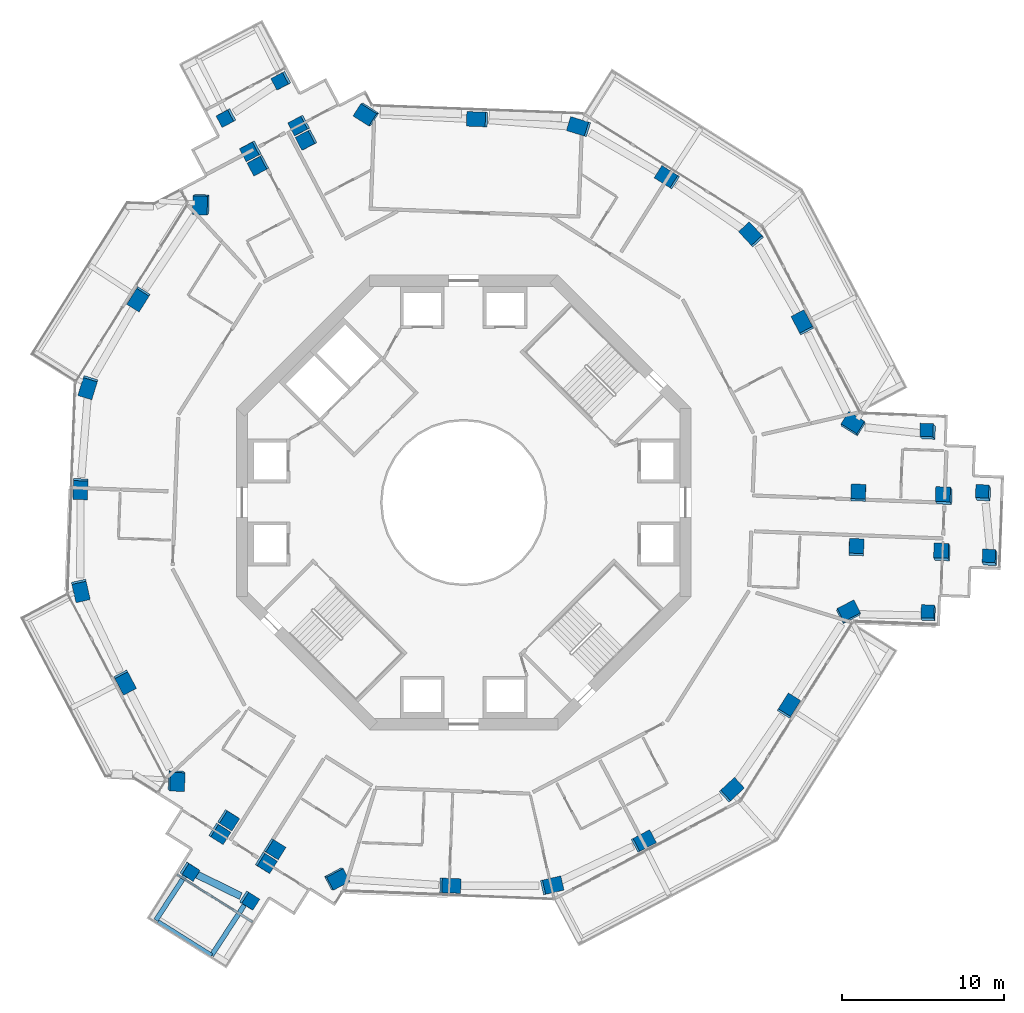
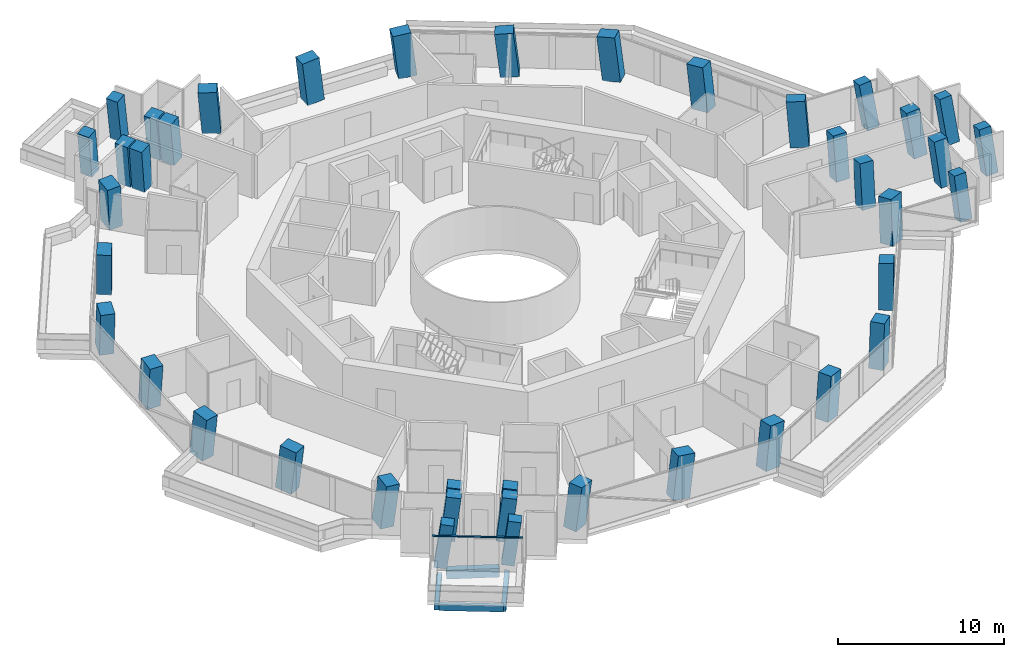
# One storey, part 1 of 23: 41 columns, 4 beams, 1 member, 1 element without a shape of its own.
"""IFC4 building model written with IfcOpenShell, lengths in metres."""

from ifc_helpers import new_model, si_unit, direction, frame, origin, origin_2d, place, context, subcontext, project, spatial, rectangle, extrude, material, layer, layer_set, material_profile, profile_set, type_object, element, aggregate, save


model = new_model("IFC4")

# Units and contexts
model_context = context("Model", 3, precision=1e-05, world=origin(), true_north=direction((0.0, 1.0)))
body_context = subcontext(model_context, "Body", "Model", "MODEL_VIEW")
ifc_project = project(units=[si_unit("LENGTHUNIT", "METRE"), si_unit("AREAUNIT", "SQUARE_METRE"), si_unit("VOLUMEUNIT", "CUBIC_METRE"), si_unit("PLANEANGLEUNIT", "RADIAN"), si_unit("MASSUNIT", "GRAM", prefix="KILO")], contexts=[model_context])

# Site, building, storey
site_placement = place(None, origin())
site = spatial("IfcSite", under=ifc_project, at=site_placement, CompositionType="ELEMENT")
building_placement = place(site_placement, origin())
building = spatial("IfcBuilding", under=site, at=building_placement, Name="Verdalira Terraces Hotel", CompositionType="ELEMENT")
storey_placement = place(building_placement, frame((0.0, 0.0, 147.0)))
storey = spatial("IfcBuildingStorey", under=building, at=storey_placement, Name="L35", CompositionType="ELEMENT", Elevation=147.0)

# Columns
ifc_material_1 = material(Name="Concrete C60", Category="concrete")
ifc_material_profile_1 = material_profile(ifc_material_1, rectangle(XDim=1.149902, YDim=0.899902, at=origin_2d()), Name="RC 1150X900")
ifc_profile_set_1 = profile_set([ifc_material_profile_1], Name="Concrete C60")
column_type_1 = type_object("IfcColumnType", Name="Column RC 1150X900 C60", PredefinedType="COLUMN", material=ifc_profile_set_1)
column_1_placement = place(storey_placement, frame((-16.130127, 18.379395, 0.0), z_axis=(-0.086733435, -0.07745957, 0.993215649), x_axis=(0.030513173, 0.996298389, 0.080364579)))
element("IfcColumn", 1, at=column_1_placement, inside=storey, type_object=column_type_1, Name="Column C01", PredefinedType="COLUMN", context=body_context, shape_type="SweptSolid", body=[
    extrude(rectangle(XDim=1.149902, YDim=0.899902, at=origin_2d()), origin(), (0.0, 0.0, 1.0), 3.21167),
])
column_2_placement = place(storey_placement, frame((-19.986084, 12.566406, 0.0), z_axis=(-0.05893902, -0.095595288, 0.993673856), x_axis=(-0.528653619, -0.841376242, -0.112300359)))
element("IfcColumn", 2, at=column_2_placement, inside=storey, type_object=column_type_1, Name="Column C02", PredefinedType="COLUMN", context=body_context, shape_type="SweptSolid", body=[
    extrude(rectangle(XDim=1.149902, YDim=0.899902, at=origin_2d()), origin(), (0.0, 0.0, 1.0), 3.210205),
])
column_3_placement = place(storey_placement, frame((-23.115723, 7.137695, 0.0), z_axis=(-0.032995616, -0.110162783, 0.993365718), x_axis=(0.293088363, 0.949144669, 0.114993952)))
element("IfcColumn", 3, at=column_3_placement, inside=storey, type_object=column_type_1, Name="Column C03", PredefinedType="COLUMN", context=body_context, shape_type="SweptSolid", body=[
    extrude(rectangle(XDim=1.149902, YDim=0.899902, at=origin_2d()), origin(), (0.0, 0.0, 1.0), 3.211182),
])
column_4_placement = place(storey_placement, frame((-23.591553, 0.889893, 0.0), z_axis=(-0.003270139, -0.112325487, 0.993666086), x_axis=(-0.037343403, -0.992964581, -0.112369084)))
element("IfcColumn", 4, at=column_4_placement, inside=storey, type_object=column_type_1, Name="Column C04", PredefinedType="COLUMN", context=body_context, shape_type="SweptSolid", body=[
    extrude(rectangle(XDim=1.149902, YDim=0.899902, at=origin_2d()), origin(), (0.0, 0.0, 1.0), 3.210205),
])
column_5_placement = place(storey_placement, frame((-23.587646, -5.376221, 0.0), z_axis=(0.026457095, -0.111986495, 0.993357462), x_axis=(-0.220180272, 0.968648872, 0.115065247)))
element("IfcColumn", 5, at=column_5_placement, inside=storey, type_object=column_type_1, Name="Column C05", PredefinedType="COLUMN", context=body_context, shape_type="SweptSolid", body=[
    extrude(rectangle(XDim=1.149902, YDim=0.899902, at=origin_2d()), origin(), (0.0, 0.0, 1.0), 3.211182),
])
column_6_placement = place(storey_placement, frame((-20.875732, -11.025146, 0.0), z_axis=(0.053235348, -0.098865646, 0.993675793), x_axis=(0.463661004, -0.878869132, -0.112283222)))
element("IfcColumn", 6, at=column_6_placement, inside=storey, type_object=column_type_1, Name="Column C06", PredefinedType="COLUMN", context=body_context, shape_type="SweptSolid", body=[
    extrude(rectangle(XDim=1.149902, YDim=0.899902, at=origin_2d()), origin(), (0.0, 0.0, 1.0), 3.210205),
])
column_7_placement = place(storey_placement, frame((-17.722656, -17.102539, 0.0), z_axis=(0.082012432, -0.083608596, 0.993118102), x_axis=(0.044637607, 0.9957831, 0.08014675)))
element("IfcColumn", 7, at=column_7_placement, inside=storey, type_object=column_type_1, Name="Column C07", PredefinedType="COLUMN", context=body_context, shape_type="SweptSolid", body=[
    extrude(rectangle(XDim=1.149902, YDim=0.899902, at=origin_2d()), origin(), (0.0, 0.0, 1.0), 3.212158),
])
column_8_placement = place(storey_placement, frame((-7.851807, -23.158691, 0.0), z_axis=(0.110374677, -0.036487497, 0.993220063), x_axis=(-0.878573198, -0.470802354, 0.080338524)))
element("IfcColumn", 8, at=column_8_placement, inside=storey, type_object=column_type_1, Name="Column C10", PredefinedType="COLUMN", context=body_context, shape_type="SweptSolid", body=[
    extrude(rectangle(XDim=1.149902, YDim=0.899902, at=origin_2d()), origin(), (0.0, 0.0, 1.0), 3.21167),
])
column_9_placement = place(storey_placement, frame((-0.889893, -23.591553, 0.0), z_axis=(0.112325487, -0.003270139, 0.993666086), x_axis=(0.992964581, -0.037343403, -0.112369084)))
element("IfcColumn", 9, at=column_9_placement, inside=storey, type_object=column_type_1, Name="Column C11", PredefinedType="COLUMN", context=body_context, shape_type="SweptSolid", body=[
    extrude(rectangle(XDim=1.149902, YDim=0.899902, at=origin_2d()), origin(), (0.0, 0.0, 1.0), 3.210205),
])
column_10_placement = place(storey_placement, frame((5.376221, -23.587646, 0.0), z_axis=(0.111986495, 0.026457095, 0.993357462), x_axis=(-0.968648872, -0.220180272, 0.115065247)))
element("IfcColumn", 10, at=column_10_placement, inside=storey, type_object=column_type_1, Name="Column C12", PredefinedType="COLUMN", context=body_context, shape_type="SweptSolid", body=[
    extrude(rectangle(XDim=1.149902, YDim=0.899902, at=origin_2d()), origin(), (0.0, 0.0, 1.0), 3.211182),
])
column_11_placement = place(storey_placement, frame((11.025146, -20.875732, 0.0), z_axis=(0.098865646, 0.053235348, 0.993675793), x_axis=(0.878869132, 0.463661004, -0.112283222)))
element("IfcColumn", 11, at=column_11_placement, inside=storey, type_object=column_type_1, Name="Column C13", PredefinedType="COLUMN", context=body_context, shape_type="SweptSolid", body=[
    extrude(rectangle(XDim=1.149902, YDim=0.899902, at=origin_2d()), origin(), (0.0, 0.0, 1.0), 3.210205),
])
column_12_placement = place(storey_placement, frame((16.449951, -17.739502, 0.0), z_axis=(0.083704558, 0.07899095, 0.99335491), x_axis=(-0.728217367, -0.67561408, 0.115087276)))
element("IfcColumn", 12, at=column_12_placement, inside=storey, type_object=column_type_1, Name="Column C14", PredefinedType="COLUMN", context=body_context, shape_type="SweptSolid", body=[
    extrude(rectangle(XDim=1.149902, YDim=0.899902, at=origin_2d()), origin(), (0.0, 0.0, 1.0), 3.211182),
])
column_13_placement = place(storey_placement, frame((19.986084, -12.566406, 0.0), z_axis=(0.05893902, 0.095595288, 0.993673856), x_axis=(0.528653619, 0.841376242, -0.112300359)))
element("IfcColumn", 13, at=column_13_placement, inside=storey, type_object=column_type_1, Name="Column C15", PredefinedType="COLUMN", context=body_context, shape_type="SweptSolid", body=[
    extrude(rectangle(XDim=1.149902, YDim=0.899902, at=origin_2d()), origin(), (0.0, 0.0, 1.0), 3.210205),
])
column_14_placement = place(storey_placement, frame((23.672607, -6.797119, 0.0), z_axis=(0.031315422, 0.112796327, 0.99312453), x_axis=(-0.884404541, -0.459794613, 0.080109435)))
element("IfcColumn", 14, at=column_14_placement, inside=storey, type_object=column_type_1, Name="Column C16", PredefinedType="COLUMN", context=body_context, shape_type="SweptSolid", body=[
    extrude(rectangle(XDim=1.149902, YDim=0.899902, at=origin_2d()), origin(), (0.0, 0.0, 1.0), 3.211914),
])
column_15_placement = place(storey_placement, frame((23.982178, 4.779541, 0.0), z_axis=(-0.023716897, 0.113795495, 0.99322107), x_axis=(0.847615067, -0.524495353, 0.080332576)))
element("IfcColumn", 15, at=column_15_placement, inside=storey, type_object=column_type_1, Name="Column C21", PredefinedType="COLUMN", context=body_context, shape_type="SweptSolid", body=[
    extrude(rectangle(XDim=1.149902, YDim=0.899902, at=origin_2d()), origin(), (0.0, 0.0, 1.0), 3.21167),
])
column_16_placement = place(storey_placement, frame((20.875732, 11.025146, 0.0), z_axis=(-0.053235348, 0.098865646, 0.993675793), x_axis=(-0.463661004, 0.878869132, -0.112283222)))
element("IfcColumn", 16, at=column_16_placement, inside=storey, type_object=column_type_1, Name="Column C22", PredefinedType="COLUMN", context=body_context, shape_type="SweptSolid", body=[
    extrude(rectangle(XDim=1.149902, YDim=0.899902, at=origin_2d()), origin(), (0.0, 0.0, 1.0), 3.210205),
])
column_17_placement = place(storey_placement, frame((17.739502, 16.449951, 0.0), z_axis=(-0.07899095, 0.083704558, 0.99335491), x_axis=(0.67561408, -0.728217367, 0.115087276)))
element("IfcColumn", 17, at=column_17_placement, inside=storey, type_object=column_type_1, Name="Column C23", PredefinedType="COLUMN", context=body_context, shape_type="SweptSolid", body=[
    extrude(rectangle(XDim=1.149902, YDim=0.899902, at=origin_2d()), origin(), (0.0, 0.0, 1.0), 3.211182),
])
column_18_placement = place(storey_placement, frame((12.566406, 19.986084, 0.0), z_axis=(-0.095595288, 0.05893902, 0.993673856), x_axis=(-0.841376242, 0.528653619, -0.112300359)))
element("IfcColumn", 18, at=column_18_placement, inside=storey, type_object=column_type_1, Name="Column C24", PredefinedType="COLUMN", context=body_context, shape_type="SweptSolid", body=[
    extrude(rectangle(XDim=1.149902, YDim=0.899902, at=origin_2d()), origin(), (0.0, 0.0, 1.0), 3.210205),
])
column_19_placement = place(storey_placement, frame((7.137695, 23.115723, 0.0), z_axis=(-0.110162783, 0.032995616, 0.993365718), x_axis=(0.949144669, -0.293088363, 0.114993952)))
element("IfcColumn", 19, at=column_19_placement, inside=storey, type_object=column_type_1, Name="Column C25", PredefinedType="COLUMN", context=body_context, shape_type="SweptSolid", body=[
    extrude(rectangle(XDim=1.149902, YDim=0.899902, at=origin_2d()), origin(), (0.0, 0.0, 1.0), 3.211182),
])
column_20_placement = place(storey_placement, frame((0.889893, 23.591553, 0.0), z_axis=(-0.112325487, 0.003270139, 0.993666086), x_axis=(-0.992964581, 0.037343403, -0.112369084)))
element("IfcColumn", 20, at=column_20_placement, inside=storey, type_object=column_type_1, Name="Column C26", PredefinedType="COLUMN", context=body_context, shape_type="SweptSolid", body=[
    extrude(rectangle(XDim=1.149902, YDim=0.899902, at=origin_2d()), origin(), (0.0, 0.0, 1.0), 3.210205),
])
column_21_placement = place(storey_placement, frame((-5.949951, 23.899658, 0.0), z_axis=(-0.113403643, -0.029263004, 0.993117964), x_axis=(0.84025398, -0.536236533, 0.080147549)))
element("IfcColumn", 21, at=column_21_placement, inside=storey, type_object=column_type_1, Name="Column C27", PredefinedType="COLUMN", context=body_context, shape_type="SweptSolid", body=[
    extrude(rectangle(XDim=1.149902, YDim=0.899902, at=origin_2d()), origin(), (0.0, 0.0, 1.0), 3.212158),
])
ifc_material_2 = material(Name="Concrete C60", Category="concrete")
ifc_material_profile_2 = material_profile(ifc_material_2, rectangle(XDim=0.800049, YDim=0.800049, at=origin_2d()), Name="RC 800X800")
ifc_profile_set_2 = profile_set([ifc_material_profile_2], Name="Concrete C60")
column_type_2 = type_object("IfcColumnType", Name="Column RC 800X800 C60", PredefinedType="COLUMN", material=ifc_profile_set_2)
column_22_placement = place(storey_placement, frame((-16.919678, -22.682617, 0.0), z_axis=(0.108301954, -0.079330423, 0.990947713), x_axis=(0.839792446, -0.526135856, -0.133901861)))
element("IfcColumn", 22, at=column_22_placement, inside=storey, type_object=column_type_2, Name="Column C08", PredefinedType="COLUMN", context=body_context, shape_type="SweptSolid", body=[
    extrude(rectangle(XDim=0.800049, YDim=0.800049, at=origin_2d()), origin(), (0.0, 0.0, 1.0), 3.218994),
])
column_23_placement = place(storey_placement, frame((-13.248291, -24.471191, 0.0), z_axis=(0.116603942, -0.061905541, 0.991247307), x_axis=(0.838386648, -0.528937247, -0.131655677)))
element("IfcColumn", 23, at=column_23_placement, inside=storey, type_object=column_type_2, Name="Column C09", PredefinedType="COLUMN", context=body_context, shape_type="SweptSolid", body=[
    extrude(rectangle(XDim=0.800049, YDim=0.800049, at=origin_2d()), origin(), (0.0, 0.0, 1.0), 3.218018),
])
column_24_placement = place(storey_placement, frame((28.626709, -6.873779, 0.0), z_axis=(-0.054648884, 0.137606192, 0.988978278), x_axis=(0.997802748, -0.029631125, 0.059259373)))
element("IfcColumn", 24, at=column_24_placement, inside=storey, type_object=column_type_2, Name="Column C17", PredefinedType="COLUMN", context=body_context, shape_type="SweptSolid", body=[
    extrude(rectangle(XDim=0.800049, YDim=0.800049, at=origin_2d()), origin(), (0.0, 0.0, 1.0), 3.225586),
])
column_25_placement = place(storey_placement, frame((32.41748, -3.474365, 0.0), z_axis=(-0.070590691, 0.154907349, 0.985403809), x_axis=(0.049475355, 0.987196042, -0.15164486)))
element("IfcColumn", 25, at=column_25_placement, inside=storey, type_object=column_type_2, Name="Column C18", PredefinedType="COLUMN", context=body_context, shape_type="SweptSolid", body=[
    extrude(rectangle(XDim=0.800049, YDim=0.800049, at=origin_2d()), origin(), (0.0, 0.0, 1.0), 3.237305),
])
column_26_placement = place(storey_placement, frame((32.0271, 0.503174, 0.0), z_axis=(-0.08926359, 0.152689703, 0.98423466), x_axis=(0.051792921, 0.987554074, -0.148507385)))
element("IfcColumn", 26, at=column_26_placement, inside=storey, type_object=column_type_2, Name="Column C19", PredefinedType="COLUMN", context=body_context, shape_type="SweptSolid", body=[
    extrude(rectangle(XDim=0.800049, YDim=0.800049, at=origin_2d()), origin(), (0.0, 0.0, 1.0), 3.240967),
])
column_27_placement = place(storey_placement, frame((28.627686, 4.294189, 0.0), z_axis=(-0.107104925, 0.136575738, 0.984822625), x_axis=(-0.993550482, 0.022386868, -0.111158751)))
element("IfcColumn", 27, at=column_27_placement, inside=storey, type_object=column_type_2, Name="Column C20", PredefinedType="COLUMN", context=body_context, shape_type="SweptSolid", body=[
    extrude(rectangle(XDim=0.800049, YDim=0.800049, at=origin_2d()), origin(), (0.0, 0.0, 1.0), 3.239014),
])
column_28_placement = place(storey_placement, frame((-11.183838, 25.994141, 0.0), z_axis=(-0.122863749, -0.054075218, 0.990949227), x_axis=(-0.875723323, -0.463877072, -0.133890719)))
element("IfcColumn", 28, at=column_28_placement, inside=storey, type_object=column_type_2, Name="Column C28", PredefinedType="COLUMN", context=body_context, shape_type="SweptSolid", body=[
    extrude(rectangle(XDim=0.800049, YDim=0.800049, at=origin_2d()), origin(), (0.0, 0.0, 1.0), 3.218994),
])
column_29_placement = place(storey_placement, frame((-14.568359, 23.708984, 0.0), z_axis=(-0.11197487, -0.070098089, 0.991235535), x_axis=(-0.877165712, -0.461761721, -0.131743795)))
element("IfcColumn", 29, at=column_29_placement, inside=storey, type_object=column_type_2, Name="Column C29", PredefinedType="COLUMN", context=body_context, shape_type="SweptSolid", body=[
    extrude(rectangle(XDim=0.800049, YDim=0.800049, at=origin_2d()), origin(), (0.0, 0.0, 1.0), 3.218262),
])
ifc_material_3 = material(Name="Concrete C60", Category="concrete")
ifc_material_profile_3 = material_profile(ifc_material_3, rectangle(XDim=0.899902, YDim=0.899902, at=origin_2d()), Name="RC 900X900")
ifc_profile_set_3 = profile_set([ifc_material_profile_3], Name="Concrete C60")
column_type_3 = type_object("IfcColumnType", Name="Column RC 900X900 C60", PredefinedType="COLUMN", material=ifc_profile_set_3)
for number, where, z_axis, x_axis, name in (
    (30, (-9.643066, 22.34082, 0.0), (-0.105821091, -0.046676832, 0.993289067), (-0.465783579, 0.884862135, -0.008041129), "Column C30"),
    (31, (-12.61084, 20.773438, 0.0), (-0.098295821, -0.060817213, 0.993297135), (-0.467869902, 0.883762835, 0.007810691), "Column C31"),
):
    element("IfcColumn", number, at=place(storey_placement, frame(where, z_axis=z_axis, x_axis=x_axis)), inside=storey, type_object=column_type_3, Name=name, PredefinedType="COLUMN", context=body_context, shape_type="SweptSolid", body=[
        extrude(rectangle(XDim=0.899902, YDim=0.899902, at=origin_2d()), origin(), (0.0, 0.0, 1.0), 3.211426),
    ])
for number, where, z_axis, x_axis, name in (
    (32, (-10.095215, 23.23291, 0.0), (-0.109940664, -0.048930054, 0.992733046), (-0.466527472, 0.884469877, -0.008071839), "Column C32"),
    (33, (-13.077881, 21.657715, 0.0), (-0.102419559, -0.063062488, 0.992740327), (-0.468077243, 0.883652758, 0.007842007), "Column C33"),
):
    element("IfcColumn", number, at=place(storey_placement, frame(where, z_axis=z_axis, x_axis=x_axis)), inside=storey, type_object=column_type_3, Name=name, PredefinedType="COLUMN", context=body_context, shape_type="SweptSolid", body=[
        extrude(rectangle(XDim=0.899902, YDim=0.899902, at=origin_2d()), origin(), (0.0, 0.0, 1.0), 3.213379),
    ])
for number, where, z_axis, x_axis, name in (
    (34, (-14.526367, -19.521484, 0.0), (0.093429095, -0.068266336, 0.993282795), (-0.532780354, -0.846215324, -0.008044873), "Column C34"),
    (35, (-11.684814, -21.308105, 0.0), (0.101792966, -0.054735575, 0.99329865), (-0.531623143, -0.846945004, 0.007809811), "Column C35"),
):
    element("IfcColumn", number, at=place(storey_placement, frame(where, z_axis=z_axis, x_axis=x_axis)), inside=storey, type_object=column_type_3, Name=name, PredefinedType="COLUMN", context=body_context, shape_type="SweptSolid", body=[
        extrude(rectangle(XDim=0.899902, YDim=0.899902, at=origin_2d()), origin(), (0.0, 0.0, 1.0), 3.211426),
    ])
column_30_placement = place(storey_placement, frame((-15.072754, -20.359131, 0.0), z_axis=(0.097327967, -0.070811604, 0.992730066), x_axis=(-0.533151109, -0.845981509, -0.008073488)))
element("IfcColumn", 36, at=column_30_placement, inside=storey, type_object=column_type_3, Name="Column C36", PredefinedType="COLUMN", context=body_context, shape_type="SweptSolid", body=[
    extrude(rectangle(XDim=0.899902, YDim=0.899902, at=origin_2d()), origin(), (0.0, 0.0, 1.0), 3.213379),
])
column_31_placement = place(storey_placement, frame((-12.217041, -22.154541, 0.0), z_axis=(0.105763037, -0.057212333, 0.992744141), x_axis=(-0.531712598, -0.846888569, 0.007839954)))
element("IfcColumn", 37, at=column_31_placement, inside=storey, type_object=column_type_3, Name="Column C37", PredefinedType="COLUMN", context=body_context, shape_type="SweptSolid", body=[
    extrude(rectangle(XDim=0.899902, YDim=0.899902, at=origin_2d()), origin(), (0.0, 0.0, 1.0), 3.213135),
])
for number, where, z_axis, x_axis, name in (
    (38, (24.169189, -2.819336, 0.0), (0.012467377, 0.115019153, 0.993285034), (0.999212834, -0.038846039, -0.008043536), "Column C38"),
    (39, (24.295654, 0.534668, 0.0), (-0.003497014, 0.115477475, 0.993303943), (0.999288848, -0.036889749, 0.007806736), "Column C39"),
):
    element("IfcColumn", number, at=place(storey_placement, frame(where, z_axis=z_axis, x_axis=x_axis)), inside=storey, type_object=column_type_3, Name=name, PredefinedType="COLUMN", context=body_context, shape_type="SweptSolid", body=[
        extrude(rectangle(XDim=0.899902, YDim=0.899902, at=origin_2d()), origin(), (0.0, 0.0, 1.0), 3.211426),
    ])
column_32_placement = place(storey_placement, frame((29.478271, -3.135498, 0.0), z_axis=(-0.072240506, 0.1412317, 0.987337286), x_axis=(0.996682883, -0.02697459, 0.076782821)))
element("IfcColumn", 40, at=column_32_placement, inside=storey, type_object=column_type_3, Name="Column C40", PredefinedType="COLUMN", context=body_context, shape_type="SweptSolid", body=[
    extrude(rectangle(XDim=0.899902, YDim=0.899902, at=origin_2d()), origin(), (0.0, 0.0, 1.0), 3.230957),
])
column_33_placement = place(storey_placement, frame((29.609131, 0.334229, 0.0), z_axis=(-0.08858977, 0.141562528, 0.985957354), x_axis=(0.995370889, -0.024450196, 0.092946119)))
element("IfcColumn", 41, at=column_33_placement, inside=storey, type_object=column_type_3, Name="Column C41", PredefinedType="COLUMN", context=body_context, shape_type="SweptSolid", body=[
    extrude(rectangle(XDim=0.899902, YDim=0.899902, at=origin_2d()), origin(), (0.0, 0.0, 1.0), 3.235352),
])

# Beams
ifc_material_4 = material(Name="Concrete C40", Category="concrete")
ifc_material_profile_4 = material_profile(ifc_material_4, rectangle(XDim=0.300049, YDim=0.5, at=origin_2d()), Name="RC 300X500")
ifc_profile_set_4 = profile_set([ifc_material_profile_4], Name="Concrete C40")
beam_type_1 = type_object("IfcBeamType", Name="Balcony cantilever beam RC 300X500 C40", PredefinedType="BEAM", material=ifc_profile_set_4)
beam_1_placement = place(storey_placement, frame((-17.171631, -22.992188, -0.560059), z_axis=(-0.54637991, -0.837537459, 0.0), x_axis=(0.837537459, -0.54637991, 0.0)))
element("IfcBeam", 42, at=beam_1_placement, inside=storey, type_object=beam_type_1, Name="Balcony cantilever beam R19-1", PredefinedType="BEAM", context=body_context, shape_type="SweptSolid", body=[
    extrude(rectangle(XDim=0.300049, YDim=0.5, at=origin_2d()), origin(), (0.0, 0.0, 1.0), 3.254395),
])
beam_2_placement = place(storey_placement, frame((-13.503174, -24.786133, -0.560059), z_axis=(-0.546362678, -0.837548699, 0.0), x_axis=(0.837548699, -0.546362678, 0.0)))
element("IfcBeam", 43, at=beam_2_placement, inside=storey, type_object=beam_type_1, Name="Balcony cantilever beam R19-2", PredefinedType="BEAM", context=body_context, shape_type="SweptSolid", body=[
    extrude(rectangle(XDim=0.300049, YDim=0.5, at=origin_2d()), origin(), (0.0, 0.0, 1.0), 3.688232),
])
ifc_material_5 = material(Name="Concrete C40", Category="concrete")
ifc_material_profile_5 = material_profile(ifc_material_5, rectangle(XDim=0.25, YDim=0.449951, at=origin_2d()), Name="RC 250X450")
ifc_profile_set_5 = profile_set([ifc_material_profile_5], Name="Concrete C40")
beam_type_2 = type_object("IfcBeamType", Name="Balcony edge beam RC 250X450 C40", PredefinedType="BEAM", material=ifc_profile_set_5)
beam_3_placement = place(storey_placement, frame((-18.822754, -25.797607, -0.534912), z_axis=(0.84657213, -0.532274017, 0.0), x_axis=(0.532274017, 0.84657213, 0.0)))
element("IfcBeam", 44, at=beam_3_placement, inside=storey, type_object=beam_type_2, Name="Balcony edge beam R19-1", PredefinedType="BEAM", context=body_context, shape_type="SweptSolid", body=[
    extrude(rectangle(XDim=0.25, YDim=0.449951, at=origin_2d()), origin(), (0.0, 0.0, 1.0), 3.90332),
])

# Curtain wall, member
ifc_material_6 = material(Name="Clear glass", Category="glass")
ifc_layer = layer(ifc_material_6, 0.14990234375)
ifc_layer_set = layer_set([ifc_layer], Name="CW3 curtain wall")
curtain_wall_type = type_object("IfcCurtainWallType", Name="CW3 curtain wall", PredefinedType="NOTDEFINED", material=ifc_layer_set)
curtain_wall_placement = place(storey_placement, origin())
curtain_wall = element("IfcCurtainWall", 45, at=curtain_wall_placement, inside=storey, type_object=curtain_wall_type, Name="CW3 curtain wall L35 edge 19", PredefinedType="NOTDEFINED")
ifc_material_7 = material(Name="Terracotta frame", Category="masonry")
ifc_material_profile_6 = material_profile(ifc_material_7, rectangle(XDim=0.120117, YDim=0.064941, at=origin_2d()), Name="TR 65x120")
ifc_profile_set_6 = profile_set([ifc_material_profile_6], Name="Terracotta frame")
member_type = type_object("IfcMemberType", Name="CW3 transom 65x120", PredefinedType="USERDEFINED", material=ifc_profile_set_6)
member_placement = place(storey_placement, frame((-17.648926, -22.903076, 2.507568), z_axis=(0.846546252, -0.532315173, 0.0), x_axis=(0.532315173, 0.846546252, 0.0)))
member = element("IfcMember", 46, at=member_placement, type_object=member_type, Name="CW3 transom", ObjectType="TRANSOM", PredefinedType="USERDEFINED", context=body_context, shape_type="SweptSolid", body=[
    extrude(rectangle(XDim=0.120117, YDim=0.064941, at=origin_2d()), origin(), (0.0, 0.0, 1.0), 5.5),
])
aggregate(curtain_wall, [member])

# Beam
ifc_material_8 = material(Name="Concrete C50", Category="concrete")
ifc_material_profile_7 = material_profile(ifc_material_8, rectangle(XDim=0.449951, YDim=0.649902, at=origin_2d()), Name="RC 450X650")
ifc_profile_set_7 = profile_set([ifc_material_profile_7], Name="Concrete C50")
beam_type_3 = type_object("IfcBeamType", Name="Spandrel beam RC 450X650 C50", PredefinedType="SPANDREL", material=ifc_profile_set_7)
beam_4_placement = place(storey_placement, frame((-16.588135, -22.826904, -0.63501), z_axis=(0.897646159, -0.440716886, 0.0), x_axis=(0.440716886, 0.897646159, 0.0)))
element("IfcBeam", 47, at=beam_4_placement, inside=storey, type_object=beam_type_3, Name="Spandrel beam B08", PredefinedType="SPANDREL", context=body_context, shape_type="SweptSolid", body=[
    extrude(rectangle(XDim=0.449951, YDim=0.649902, at=origin_2d()), origin(), (0.0, 0.0, 1.0), 3.192383),
])

save(model, "model.ifc")
